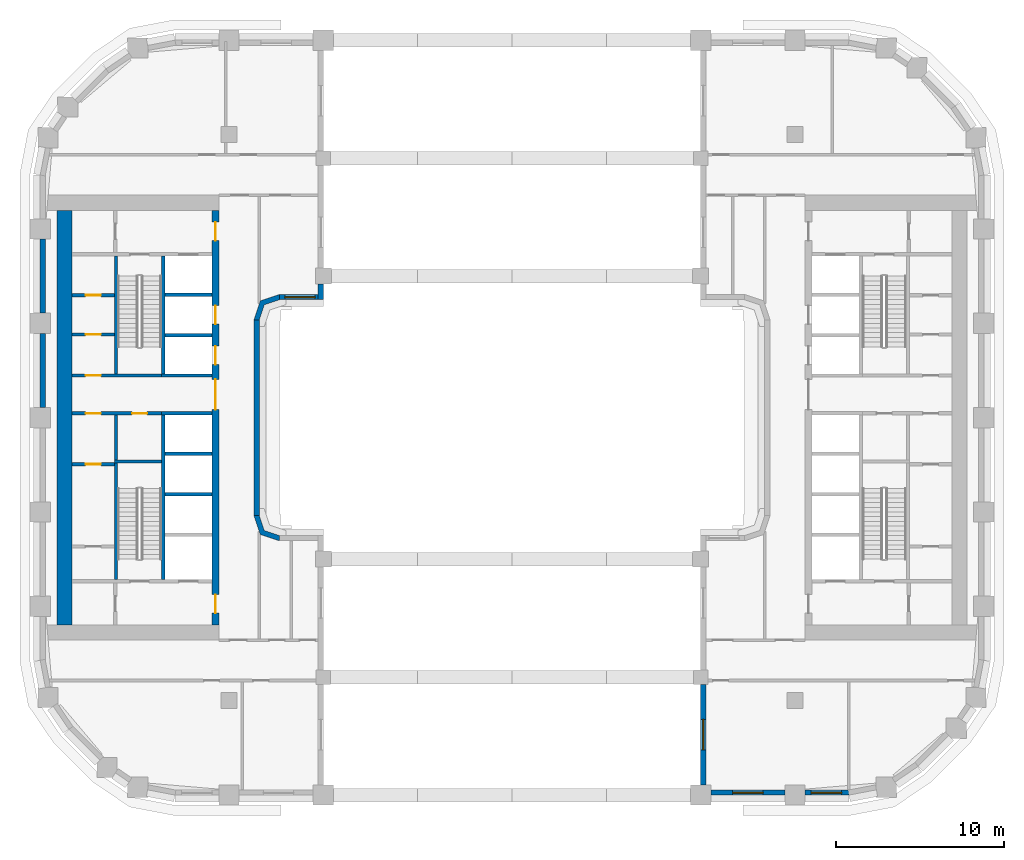
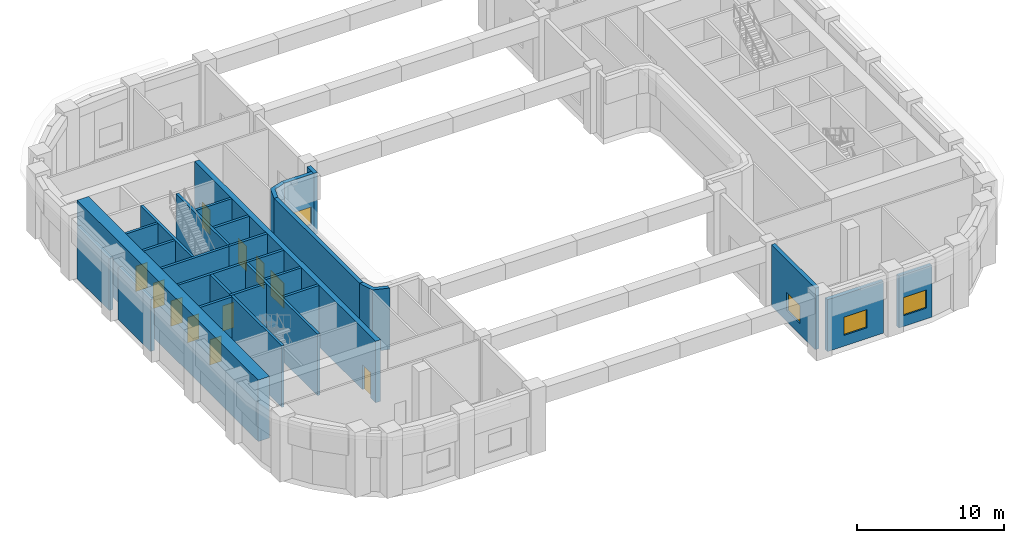
# One storey, part 3 of 14: 29 walls, 11 doors, 4 windows, 15 openings.
"""IFC4 building model written with IfcOpenShell, lengths in metres."""

from ifc_helpers import new_model, si_unit, direction, frame, frame_2d, origin, place, context, subcontext, project, spatial, polyline, rectangle, outline, extrude, material, layer, layer_set, type_object, element, fill, save


model = new_model("IFC4")

# Units and contexts
model_context = context("Model", 3, precision=1e-05, world=origin(), true_north=direction((0.0, 1.0)))
body_context = subcontext(model_context, "Body", "Model", "MODEL_VIEW")
ifc_project = project(units=[si_unit("LENGTHUNIT", "METRE"), si_unit("AREAUNIT", "SQUARE_METRE"), si_unit("VOLUMEUNIT", "CUBIC_METRE"), si_unit("PLANEANGLEUNIT", "RADIAN"), si_unit("MASSUNIT", "GRAM", prefix="KILO")], contexts=[model_context])

# Site, building, storey
site_placement = place(None, origin())
site = spatial("IfcSite", under=ifc_project, at=site_placement, CompositionType="ELEMENT")
building_placement = place(site_placement, origin())
building = spatial("IfcBuilding", under=site, at=building_placement, Name="Kiln Ring Residences", CompositionType="ELEMENT")
storey_placement = place(building_placement, frame((0.0, 0.0, 130.699951171875)))
storey = spatial("IfcBuildingStorey", under=building, at=storey_placement, Name="L33", CompositionType="ELEMENT", Elevation=130.699951171875)

# Wall
ifc_material_1 = material(Name="Gypsum board on steel studs", Category="steel")
ifc_layer_1 = layer(ifc_material_1, 0.199951171875)
ifc_layer_set_1 = layer_set([ifc_layer_1], Name="CORE-PARTITION-200")
wall_type_1 = type_object("IfcWallType", Name="CORE-PARTITION-200", PredefinedType="PARTITIONING", material=ifc_layer_set_1)
wall_1_placement = place(storey_placement, frame((-23.5, -2.5, 0.0), z_axis=(0.0, 0.0, 1.0), x_axis=(0.0, 1.0, 0.0)))
element("IfcWall", 1, at=wall_1_placement, inside=storey, type_object=wall_type_1, Name="Core partition west L33 1", PredefinedType="PARTITIONING", context=body_context, shape_type="SweptSolid", body=[
    extrude(rectangle(XDim=2.64990234375, YDim=0.199951171875, at=frame_2d((1.324951171875, 0.0))), origin(), (0.0, 0.0, 1.0), 5.10009765625),
])

# Wall, openings, doors
wall_2_placement = place(storey_placement, frame((-20.800048828125, 0.25, 0.0), z_axis=(0.0, 0.0, 1.0), x_axis=(-1.0, 0.0, 0.0)))
wall_2 = element("IfcWall", 2, at=wall_2_placement, inside=storey, type_object=wall_type_1, Name="Core partition west L33 2", PredefinedType="PARTITIONING", context=body_context, shape_type="SweptSolid", body=[
    extrude(rectangle(XDim=5.300048828125, YDim=0.199951171875, at=frame_2d((2.64990234375, 0.0))), origin(), (0.0, 0.0, 1.0), 5.10009765625),
])
opening_1_placement = place(wall_2_placement, frame((0.85009765625, 0.0, 0.0)))
opening_1 = element("IfcOpeningElement", 3, at=opening_1_placement, cuts=wall_2, Name="Opening L33-CW12", PredefinedType="OPENING", context=body_context, shape_type="SweptSolid", body=[
    extrude(rectangle(XDim=0.89990234375, YDim=2.10009765625, at=frame_2d((0.449951171875, 1.050048828125))), frame((0.0, 0.10986328125, 0.0), z_axis=(0.0, -1.0, 0.0), x_axis=(1.0, 0.0, 0.0)), (0.0, 0.0, 1.0), 0.219970703125),
])
opening_2_placement = place(wall_2_placement, frame((3.60009765625, 0.0, 0.0)))
opening_2 = element("IfcOpeningElement", 4, at=opening_2_placement, cuts=wall_2, Name="Opening L33-CW15", PredefinedType="OPENING", context=body_context, shape_type="SweptSolid", body=[
    extrude(rectangle(XDim=0.89990234375, YDim=2.10009765625, at=frame_2d((0.449951171875, 1.050048828125))), frame((0.0, 0.10986328125, 0.0), z_axis=(0.0, -1.0, 0.0), x_axis=(1.0, 0.0, 0.0)), (0.0, 0.0, 1.0), 0.219970703125),
])
ifc_material_2 = material(Name="Steel door leaf", Category="steel")
door_type_1 = type_object("IfcDoorType", Name="CORE-DOOR-ROOM", OperationType="SINGLE_SWING_LEFT", PredefinedType="DOOR", material=ifc_material_2)
door_1_placement = place(opening_1_placement, origin())
door_1 = element("IfcDoor", 5, at=door_1_placement, inside=storey, type_object=door_type_1, Name="Cleaner's store L33-CW12", OperationType="SINGLE_SWING_RIGHT", OverallHeight=2.10009765625, OverallWidth=0.89990234375, PredefinedType="DOOR", context=body_context, shape_type="SweptSolid", body=[
    extrude(rectangle(XDim=0.89990234375, YDim=2.10009765625, at=frame_2d((0.449951171875, 1.050048828125))), frame((0.0, 0.02490234375, 0.0), z_axis=(0.0, -1.0, 0.0), x_axis=(1.0, 0.0, 0.0)), (0.0, 0.0, 1.0), 0.050048828125),
])
fill(opening_1, door_1)
door_2_placement = place(opening_2_placement, origin())
door_2 = element("IfcDoor", 6, at=door_2_placement, inside=storey, type_object=door_type_1, Name="Battery room L33-CW15", OperationType="SINGLE_SWING_LEFT", OverallHeight=2.10009765625, OverallWidth=0.89990234375, PredefinedType="DOOR", context=body_context, shape_type="SweptSolid", body=[
    extrude(rectangle(XDim=0.89990234375, YDim=2.10009765625, at=frame_2d((0.449951171875, 1.050048828125))), frame((0.0, 0.02490234375, 0.0), z_axis=(0.0, -1.0, 0.0), x_axis=(1.0, 0.0, 0.0)), (0.0, 0.0, 1.0), 0.050048828125),
])
fill(opening_2, door_2)

# Wall, opening, door
wall_3_placement = place(storey_placement, frame((-23.60009765625, -2.77490234375, 0.0), z_axis=(0.0, 0.0, 1.0), x_axis=(-1.0, 0.0, 0.0)))
wall_3 = element("IfcWall", 7, at=wall_3_placement, inside=storey, type_object=wall_type_1, Name="Core partition west L33 6", PredefinedType="PARTITIONING", context=body_context, shape_type="SweptSolid", body=[
    extrude(rectangle(XDim=2.5, YDim=0.199951171875, at=frame_2d((1.25, 0.0))), origin(), (0.0, 0.0, 1.0), 5.10009765625),
])
opening_3_placement = place(wall_3_placement, frame((0.800048828125, 0.0, 0.0)))
opening_3 = element("IfcOpeningElement", 8, at=opening_3_placement, cuts=wall_3, Name="Opening L33-CW14", PredefinedType="OPENING", context=body_context, shape_type="SweptSolid", body=[
    extrude(rectangle(XDim=0.89990234375, YDim=2.10009765625, at=frame_2d((0.449951171875, 1.050048828125))), frame((0.0, 0.10986328125, 0.0), z_axis=(0.0, -1.0, 0.0), x_axis=(1.0, 0.0, 0.0)), (0.0, 0.0, 1.0), 0.219970703125),
])
door_3_placement = place(opening_3_placement, origin())
door_3 = element("IfcDoor", 9, at=door_3_placement, inside=storey, type_object=door_type_1, Name="Battery room L33-CW14", OperationType="SINGLE_SWING_LEFT", OverallHeight=2.10009765625, OverallWidth=0.89990234375, PredefinedType="DOOR", context=body_context, shape_type="SweptSolid", body=[
    extrude(rectangle(XDim=0.89990234375, YDim=2.10009765625, at=frame_2d((0.449951171875, 1.050048828125))), frame((0.0, 0.02490234375, 0.0), z_axis=(0.0, -1.0, 0.0), x_axis=(1.0, 0.0, 0.0)), (0.0, 0.0, 1.0), 0.050048828125),
])
fill(opening_3, door_3)

wall_4_placement = place(storey_placement, frame((-23.60009765625, 4.933349609375, 0.0), z_axis=(0.0, 0.0, 1.0), x_axis=(-1.0, 0.0, 0.0)))
wall_4 = element("IfcWall", 10, at=wall_4_placement, inside=storey, type_object=wall_type_1, Name="Core partition west L33 7", PredefinedType="PARTITIONING", context=body_context, shape_type="SweptSolid", body=[
    extrude(rectangle(XDim=2.5, YDim=0.199951171875, at=frame_2d((1.25, 0.0))), origin(), (0.0, 0.0, 1.0), 5.10009765625),
])
opening_4_placement = place(wall_4_placement, frame((0.800048828125, 0.0, 0.0)))
opening_4 = element("IfcOpeningElement", 11, at=opening_4_placement, cuts=wall_4, Name="Opening L33-CW16", PredefinedType="OPENING", context=body_context, shape_type="SweptSolid", body=[
    extrude(rectangle(XDim=0.89990234375, YDim=2.10009765625, at=frame_2d((0.449951171875, 1.050048828125))), frame((0.0, 0.10986328125, 0.0), z_axis=(0.0, -1.0, 0.0), x_axis=(1.0, 0.0, 0.0)), (0.0, 0.0, 1.0), 0.219970703125),
])
door_4_placement = place(opening_4_placement, origin())
door_4 = element("IfcDoor", 12, at=door_4_placement, inside=storey, type_object=door_type_1, Name="Electrical plant room L33-CW16", OperationType="SINGLE_SWING_LEFT", OverallHeight=2.10009765625, OverallWidth=0.89990234375, PredefinedType="DOOR", context=body_context, shape_type="SweptSolid", body=[
    extrude(rectangle(XDim=0.89990234375, YDim=2.10009765625, at=frame_2d((0.449951171875, 1.050048828125))), frame((0.0, 0.02490234375, 0.0), z_axis=(0.0, -1.0, 0.0), x_axis=(1.0, 0.0, 0.0)), (0.0, 0.0, 1.0), 0.050048828125),
])
fill(opening_4, door_4)

wall_5_placement = place(storey_placement, frame((-23.60009765625, 7.2666015625, 0.0), z_axis=(0.0, 0.0, 1.0), x_axis=(-1.0, 0.0, 0.0)))
wall_5 = element("IfcWall", 13, at=wall_5_placement, inside=storey, type_object=wall_type_1, Name="Core partition west L33 8", PredefinedType="PARTITIONING", context=body_context, shape_type="SweptSolid", body=[
    extrude(rectangle(XDim=2.5, YDim=0.199951171875, at=frame_2d((1.25, 0.0))), origin(), (0.0, 0.0, 1.0), 5.10009765625),
])
opening_5_placement = place(wall_5_placement, frame((0.800048828125, 0.0, 0.0)))
opening_5 = element("IfcOpeningElement", 14, at=opening_5_placement, cuts=wall_5, Name="Opening L33-CW17", PredefinedType="OPENING", context=body_context, shape_type="SweptSolid", body=[
    extrude(rectangle(XDim=0.89990234375, YDim=2.10009765625, at=frame_2d((0.449951171875, 1.050048828125))), frame((0.0, 0.10986328125, 0.0), z_axis=(0.0, -1.0, 0.0), x_axis=(1.0, 0.0, 0.0)), (0.0, 0.0, 1.0), 0.219970703125),
])
door_5_placement = place(opening_5_placement, origin())
door_5 = element("IfcDoor", 15, at=door_5_placement, inside=storey, type_object=door_type_1, Name="Comms room L33-CW17", OperationType="SINGLE_SWING_RIGHT", OverallHeight=2.10009765625, OverallWidth=0.89990234375, PredefinedType="DOOR", context=body_context, shape_type="SweptSolid", body=[
    extrude(rectangle(XDim=0.89990234375, YDim=2.10009765625, at=frame_2d((0.449951171875, 1.050048828125))), frame((0.0, 0.02490234375, 0.0), z_axis=(0.0, -1.0, 0.0), x_axis=(1.0, 0.0, 0.0)), (0.0, 0.0, 1.0), 0.050048828125),
])
fill(opening_5, door_5)

# Walls
ifc_material_3 = material(Name="Gypsum shaft wall system")
ifc_layer_2 = layer(ifc_material_3, 0.199951171875)
ifc_layer_set_2 = layer_set([ifc_layer_2], Name="CORE-SHAFT-WALL-200")
wall_type_2 = type_object("IfcWallType", Name="CORE-SHAFT-WALL-200", PredefinedType="PARTITIONING", material=ifc_layer_set_2)
for number, where, z_axis, x_axis, name in (
    (16, (-17.800048828125, -4.550048828125, 0.0), (0.0, 0.0, 1.0), (-1.0, 0.0, 0.0), "Core partition west L33 10"),
    (17, (-17.800048828125, -2.14990234375, 0.0), (0.0, 0.0, 1.0), (-1.0, 0.0, 0.0), "Core partition west L33 11"),
):
    element("IfcWall", number, at=place(storey_placement, frame(where, z_axis=z_axis, x_axis=x_axis)), inside=storey, type_object=wall_type_2, Name=name, PredefinedType="PARTITIONING", context=body_context, shape_type="SweptSolid", body=[
        extrude(rectangle(XDim=2.800048828125, YDim=0.199951171875, at=frame_2d((1.39990234375, 0.0))), origin(), (0.0, 0.0, 1.0), 5.10009765625),
    ])
for number, where, z_axis, x_axis, name in (
    (18, (-17.800048828125, 0.25, 0.0), (0.0, 0.0, 1.0), (-1.0, 0.0, 0.0), "Core partition west L33 12"),
    (19, (-17.800048828125, 2.5, 0.0), (0.0, 0.0, 1.0), (-1.0, 0.0, 0.0), "Core partition west L33 13"),
):
    element("IfcWall", number, at=place(storey_placement, frame(where, z_axis=z_axis, x_axis=x_axis)), inside=storey, type_object=wall_type_2, Name=name, PredefinedType="PARTITIONING", context=body_context, shape_type="SweptSolid", body=[
        extrude(rectangle(XDim=3.0, YDim=0.199951171875, at=frame_2d((1.5, 0.0))), origin(), (0.0, 0.0, 1.0), 5.10009765625),
    ])
for number, where, z_axis, x_axis, name in (
    (20, (-17.800048828125, 4.89990234375, 0.0), (0.0, 0.0, 1.0), (-1.0, 0.0, 0.0), "Core partition west L33 14"),
    (21, (-17.800048828125, 7.300048828125, 0.0), (0.0, 0.0, 1.0), (-1.0, 0.0, 0.0), "Core partition west L33 15"),
):
    element("IfcWall", number, at=place(storey_placement, frame(where, z_axis=z_axis, x_axis=x_axis)), inside=storey, type_object=wall_type_2, Name=name, PredefinedType="PARTITIONING", context=body_context, shape_type="SweptSolid", body=[
        extrude(rectangle(XDim=2.800048828125, YDim=0.199951171875, at=frame_2d((1.39990234375, 0.0))), origin(), (0.0, 0.0, 1.0), 5.10009765625),
    ])
ifc_material_4 = material(Name="Concrete C40/50", Category="concrete")
ifc_layer_3 = layer(ifc_material_4, 0.199951171875)
ifc_layer_set_3 = layer_set([ifc_layer_3], Name="CORE-WALL-RC200")
wall_type_3 = type_object("IfcWallType", Name="CORE-WALL-RC200", PredefinedType="SHEAR", material=ifc_layer_set_3)
wall_6_placement = place(storey_placement, frame((-20.699951171875, 2.60009765625, 0.0), z_axis=(0.0, 0.0, 1.0), x_axis=(0.0, 1.0, 0.0)))
element("IfcWall", 22, at=wall_6_placement, inside=storey, type_object=wall_type_3, Name="Core wall west L33 1", PredefinedType="SHEAR", context=body_context, shape_type="SweptSolid", body=[
    extrude(rectangle(XDim=7.0, YDim=0.199951171875, at=frame_2d((3.5, 0.0))), origin(), (0.0, 0.0, 1.0), 5.10009765625),
])
wall_7_placement = place(storey_placement, frame((-20.699951171875, -9.60009765625, 0.0), z_axis=(0.0, 0.0, 1.0), x_axis=(0.0, 1.0, 0.0)))
element("IfcWall", 23, at=wall_7_placement, inside=storey, type_object=wall_type_3, Name="Core wall west L33 2", PredefinedType="SHEAR", context=body_context, shape_type="SweptSolid", body=[
    extrude(rectangle(XDim=9.75, YDim=0.199951171875, at=frame_2d((4.875, 0.0))), origin(), (0.0, 0.0, 1.0), 5.10009765625),
])

# Wall, opening, door
wall_8_placement = place(storey_placement, frame((-20.800048828125, 2.5, 0.0), z_axis=(0.0, 0.0, 1.0), x_axis=(-1.0, 0.0, 0.0)))
wall_8 = element("IfcWall", 24, at=wall_8_placement, inside=storey, type_object=wall_type_3, Name="Core wall west L33 3", PredefinedType="SHEAR", context=body_context, shape_type="SweptSolid", body=[
    extrude(rectangle(XDim=5.300048828125, YDim=0.199951171875, at=frame_2d((2.64990234375, 0.0))), origin(), (0.0, 0.0, 1.0), 5.10009765625),
])
opening_6_placement = place(wall_8_placement, frame((3.60009765625, 0.0, 0.0)))
opening_6 = element("IfcOpeningElement", 25, at=opening_6_placement, cuts=wall_8, Name="Opening L33-CW18", PredefinedType="OPENING", context=body_context, shape_type="SweptSolid", body=[
    extrude(rectangle(XDim=0.89990234375, YDim=2.10009765625, at=frame_2d((0.449951171875, 1.050048828125))), frame((0.0, 0.10986328125, 0.0), z_axis=(0.0, -1.0, 0.0), x_axis=(1.0, 0.0, 0.0)), (0.0, 0.0, 1.0), 0.219970703125),
])
door_6_placement = place(opening_6_placement, origin())
door_6 = element("IfcDoor", 26, at=door_6_placement, inside=storey, type_object=door_type_1, Name="UPS room L33-CW18", OperationType="SINGLE_SWING_LEFT", OverallHeight=2.10009765625, OverallWidth=0.89990234375, PredefinedType="DOOR", context=body_context, shape_type="SweptSolid", body=[
    extrude(rectangle(XDim=0.89990234375, YDim=2.10009765625, at=frame_2d((0.449951171875, 1.050048828125))), frame((0.0, 0.02490234375, 0.0), z_axis=(0.0, -1.0, 0.0), x_axis=(1.0, 0.0, 0.0)), (0.0, 0.0, 1.0), 0.050048828125),
])
fill(opening_6, door_6)

# Walls
wall_9_placement = place(storey_placement, frame((-23.5, 2.60009765625, 0.0), z_axis=(0.0, 0.0, 1.0), x_axis=(0.0, 1.0, 0.0)))
element("IfcWall", 27, at=wall_9_placement, inside=storey, type_object=wall_type_3, Name="Core wall west L33 10", PredefinedType="SHEAR", context=body_context, shape_type="SweptSolid", body=[
    extrude(rectangle(XDim=7.0, YDim=0.199951171875, at=frame_2d((3.5, 0.0))), origin(), (0.0, 0.0, 1.0), 5.10009765625),
])
wall_10_placement = place(storey_placement, frame((-23.5, -9.60009765625, 0.0), z_axis=(0.0, 0.0, 1.0), x_axis=(0.0, 1.0, 0.0)))
element("IfcWall", 28, at=wall_10_placement, inside=storey, type_object=wall_type_3, Name="Core wall west L33 11", PredefinedType="SHEAR", context=body_context, shape_type="SweptSolid", body=[
    extrude(rectangle(XDim=6.900146484375, YDim=0.199951171875, at=frame_2d((3.4501953125, 0.0))), origin(), (0.0, 0.0, 1.0), 5.10009765625),
])
wall_11_placement = place(storey_placement, frame((-20.800048828125, -2.60009765625, 0.0), z_axis=(0.0, 0.0, 1.0), x_axis=(-1.0, 0.0, 0.0)))
element("IfcWall", 29, at=wall_11_placement, inside=storey, type_object=wall_type_3, Name="Core wall west L33 12", PredefinedType="SHEAR", context=body_context, shape_type="SweptSolid", body=[
    extrude(rectangle(XDim=2.800048828125, YDim=0.199951171875, at=frame_2d((1.39990234375, 0.0))), origin(), (0.0, 0.0, 1.0), 5.10009765625),
])

# Wall, openings, doors
ifc_material_5 = material(Name="Concrete C60/75", Category="concrete")
ifc_layer_4 = layer(ifc_material_5, 0.39990234375)
ifc_layer_set_4 = layer_set([ifc_layer_4], Name="CORE-WALL-RC400")
wall_type_4 = type_object("IfcWallType", Name="CORE-WALL-RC400", PredefinedType="SHEAR", material=ifc_layer_set_4)
wall_12_placement = place(storey_placement, frame((-17.60009765625, -12.300048828125, 0.0), z_axis=(0.0, 0.0, 1.0), x_axis=(0.0, 1.0, 0.0)))
wall_12 = element("IfcWall", 30, at=wall_12_placement, inside=storey, type_object=wall_type_4, Name="Core wall west L33 6", PredefinedType="SHEAR", context=body_context, shape_type="SweptSolid", body=[
    extrude(rectangle(XDim=24.60009765625, YDim=0.39990234375, at=frame_2d((12.300048828125, 0.0))), origin(), (0.0, 0.0, 1.0), 5.10009765625),
])
opening_7_placement = place(wall_12_placement, frame((15.449951171875, 0.0, 0.0)))
opening_7 = element("IfcOpeningElement", 31, at=opening_7_placement, cuts=wall_12, Name="Opening L33-CW02", PredefinedType="OPENING", context=body_context, shape_type="SweptSolid", body=[
    extrude(rectangle(XDim=1.10009765625, YDim=2.10009765625, at=frame_2d((0.550048828125, 1.050048828125))), frame((0.0, 0.2099609375, 0.0), z_axis=(0.0, -1.0, 0.0), x_axis=(1.0, 0.0, 0.0)), (0.0, 0.0, 1.0), 0.419921875),
])
opening_8_placement = place(wall_12_placement, frame((17.85009765625, 0.0, 0.0)))
opening_8 = element("IfcOpeningElement", 32, at=opening_8_placement, cuts=wall_12, Name="Opening L33-CW03", PredefinedType="OPENING", context=body_context, shape_type="SweptSolid", body=[
    extrude(rectangle(XDim=1.10009765625, YDim=2.10009765625, at=frame_2d((0.550048828125, 1.050048828125))), frame((0.0, 0.2099609375, 0.0), z_axis=(0.0, -1.0, 0.0), x_axis=(1.0, 0.0, 0.0)), (0.0, 0.0, 1.0), 0.419921875),
])
opening_9_placement = place(wall_12_placement, frame((22.800048828125, 0.0, 0.0)))
opening_9 = element("IfcOpeningElement", 33, at=opening_9_placement, cuts=wall_12, Name="Opening L33-CW05", PredefinedType="OPENING", context=body_context, shape_type="SweptSolid", body=[
    extrude(rectangle(XDim=1.10009765625, YDim=2.10009765625, at=frame_2d((0.550048828125, 1.050048828125))), frame((0.0, 0.2099609375, 0.0), z_axis=(0.0, -1.0, 0.0), x_axis=(1.0, 0.0, 0.0)), (0.0, 0.0, 1.0), 0.419921875),
])
opening_10_placement = place(wall_12_placement, frame((0.699951171875, 0.0, 0.0)))
opening_10 = element("IfcOpeningElement", 34, at=opening_10_placement, cuts=wall_12, Name="Opening L33-CW06", PredefinedType="OPENING", context=body_context, shape_type="SweptSolid", body=[
    extrude(rectangle(XDim=1.10009765625, YDim=2.10009765625, at=frame_2d((0.550048828125, 1.050048828125))), frame((0.0, 0.2099609375, 0.0), z_axis=(0.0, -1.0, 0.0), x_axis=(1.0, 0.0, 0.0)), (0.0, 0.0, 1.0), 0.419921875),
])
opening_11_placement = place(wall_12_placement, frame((12.77490234375, 0.0, 0.0)))
opening_11 = element("IfcOpeningElement", 35, at=opening_11_placement, cuts=wall_12, Name="Opening L33-CW11", PredefinedType="OPENING", context=body_context, shape_type="SweptSolid", body=[
    extrude(rectangle(XDim=1.800048828125, YDim=2.10009765625, at=frame_2d((0.89990234375, 1.050048828125))), frame((0.0, 0.2099609375, 0.0), z_axis=(0.0, -1.0, 0.0), x_axis=(1.0, 0.0, 0.0)), (0.0, 0.0, 1.0), 0.419921875),
])
ifc_material_6 = material(Name="Steel door leaf", Category="steel")
door_type_2 = type_object("IfcDoorType", Name="CORE-DOOR-LD", OperationType="DOUBLE_DOOR_SLIDING", PredefinedType="DOOR", material=ifc_material_6)
door_7_placement = place(opening_7_placement, origin())
door_7 = element("IfcDoor", 36, at=door_7_placement, inside=storey, type_object=door_type_2, Name="LD W-M1 L33-CW02", OperationType="DOUBLE_DOOR_SLIDING", OverallHeight=2.10009765625, OverallWidth=1.10009765625, PredefinedType="DOOR", context=body_context, shape_type="SweptSolid", body=[
    extrude(rectangle(XDim=1.10009765625, YDim=2.10009765625, at=frame_2d((0.550048828125, 1.050048828125))), frame((0.0, 0.02490234375, 0.0), z_axis=(0.0, -1.0, 0.0), x_axis=(1.0, 0.0, 0.0)), (0.0, 0.0, 1.0), 0.050048828125),
])
fill(opening_7, door_7)
door_8_placement = place(opening_8_placement, origin())
door_8 = element("IfcDoor", 37, at=door_8_placement, inside=storey, type_object=door_type_2, Name="LD W-M2 L33-CW03", OperationType="DOUBLE_DOOR_SLIDING", OverallHeight=2.10009765625, OverallWidth=1.10009765625, PredefinedType="DOOR", context=body_context, shape_type="SweptSolid", body=[
    extrude(rectangle(XDim=1.10009765625, YDim=2.10009765625, at=frame_2d((0.550048828125, 1.050048828125))), frame((0.0, 0.02490234375, 0.0), z_axis=(0.0, -1.0, 0.0), x_axis=(1.0, 0.0, 0.0)), (0.0, 0.0, 1.0), 0.050048828125),
])
fill(opening_8, door_8)
ifc_material_7 = material(Name="Steel door leaf", Category="steel")
door_type_3 = type_object("IfcDoorType", Name="CORE-DOOR-LOBBY", OperationType="SINGLE_SWING_LEFT", PredefinedType="DOOR", material=ifc_material_7)
door_9_placement = place(opening_9_placement, origin())
door_9 = element("IfcDoor", 38, at=door_9_placement, inside=storey, type_object=door_type_3, Name="FFL L33-CW05", OperationType="SINGLE_SWING_RIGHT", OverallHeight=2.10009765625, OverallWidth=1.10009765625, PredefinedType="DOOR", context=body_context, shape_type="SweptSolid", body=[
    extrude(rectangle(XDim=1.10009765625, YDim=2.10009765625, at=frame_2d((0.550048828125, 1.050048828125))), frame((0.0, 0.02490234375, 0.0), z_axis=(0.0, -1.0, 0.0), x_axis=(1.0, 0.0, 0.0)), (0.0, 0.0, 1.0), 0.050048828125),
])
fill(opening_9, door_9)
door_10_placement = place(opening_10_placement, origin())
door_10 = element("IfcDoor", 39, at=door_10_placement, inside=storey, type_object=door_type_3, Name="SVL L33-CW06", OperationType="SINGLE_SWING_LEFT", OverallHeight=2.10009765625, OverallWidth=1.10009765625, PredefinedType="DOOR", context=body_context, shape_type="SweptSolid", body=[
    extrude(rectangle(XDim=1.10009765625, YDim=2.10009765625, at=frame_2d((0.550048828125, 1.050048828125))), frame((0.0, 0.02490234375, 0.0), z_axis=(0.0, -1.0, 0.0), x_axis=(1.0, 0.0, 0.0)), (0.0, 0.0, 1.0), 0.050048828125),
])
fill(opening_10, door_10)
ifc_material_8 = material(Name="Steel door leaf", Category="steel")
door_type_4 = type_object("IfcDoorType", Name="CORE-DOOR-PASS", OperationType="DOUBLE_DOOR_SINGLE_SWING", PredefinedType="DOOR", material=ifc_material_8)
door_11_placement = place(opening_11_placement, origin())
door_11 = element("IfcDoor", 40, at=door_11_placement, inside=storey, type_object=door_type_4, Name="Core passage L33-CW11", OperationType="DOUBLE_DOOR_SINGLE_SWING", OverallHeight=2.10009765625, OverallWidth=1.800048828125, PredefinedType="DOOR", context=body_context, shape_type="SweptSolid", body=[
    extrude(rectangle(XDim=1.800048828125, YDim=2.10009765625, at=frame_2d((0.89990234375, 1.050048828125))), frame((0.0, 0.02490234375, 0.0), z_axis=(0.0, -1.0, 0.0), x_axis=(1.0, 0.0, 0.0)), (0.0, 0.0, 1.0), 0.050048828125),
])
fill(opening_11, door_11)

# Walls
ifc_material_9 = material(Name="Concrete C60/75", Category="concrete")
ifc_layer_5 = layer(ifc_material_9, 0.89990234375)
ifc_layer_set_5 = layer_set([ifc_layer_5], Name="CORE-WALL-RC900")
wall_type_5 = type_object("IfcWallType", Name="CORE-WALL-RC900", PredefinedType="SHEAR", material=ifc_layer_set_5)
wall_13_placement = place(storey_placement, frame((-26.550048828125, -12.300048828125, 0.0), z_axis=(0.0, 0.0, 1.0), x_axis=(0.0, 1.0, 0.0)))
element("IfcWall", 41, at=wall_13_placement, inside=storey, type_object=wall_type_5, Name="Core wall west L33 7", PredefinedType="SHEAR", context=body_context, shape_type="SweptSolid", body=[
    extrude(rectangle(XDim=24.60009765625, YDim=0.89990234375, at=frame_2d((12.300048828125, 0.0))), origin(), (0.0, 0.0, 1.0), 5.10009765625),
])
ifc_material_10 = material(Name="Brick masonry, dark clay brick", Category="masonry")
ifc_layer_6 = layer(ifc_material_10, 0.300048828125)
ifc_layer_set_6 = layer_set([ifc_layer_6], Name="EW-300 BRICK WALL")
wall_type_6 = type_object("IfcWallType", Name="EW-300 BRICK WALL", PredefinedType="SOLIDWALL", material=ifc_layer_set_6)
wall_14_placement = place(storey_placement, frame((-15.14990234375, -5.800048828125, 0.0), z_axis=(0.0, 0.0, 1.0), x_axis=(0.0, 1.0, 0.0)))
element("IfcWall", 42, at=wall_14_placement, inside=storey, type_object=wall_type_6, Name="Facade wall L33 12", PredefinedType="SOLIDWALL", context=body_context, shape_type="SweptSolid", body=[
    extrude(rectangle(XDim=11.60009765625, YDim=0.300048828125, at=frame_2d((5.800048828125, 0.0))), origin(), (0.0, 0.0, 1.0), 5.10009765625),
])

# Wall, opening, window
wall_15_placement = place(storey_placement, frame((-13.800048828125, 7.14990234375, 0.0), z_axis=(0.0, 0.0, 1.0), x_axis=(1.0, 0.0, 0.0)))
wall_15 = element("IfcWall", 43, at=wall_15_placement, inside=storey, type_object=wall_type_6, Name="Facade wall L33 13", PredefinedType="SOLIDWALL", context=body_context, shape_type="SweptSolid", body=[
    extrude(rectangle(XDim=2.60009765625, YDim=0.300048828125, at=frame_2d((1.300048828125, 0.0))), origin(), (0.0, 0.0, 1.0), 5.10009765625),
])
opening_12_placement = place(wall_15_placement, frame((0.3173828125, 0.0, 0.89990234375)))
opening_12 = element("IfcOpeningElement", 44, at=opening_12_placement, cuts=wall_15, Name="Opening LV1", PredefinedType="OPENING", context=body_context, shape_type="SweptSolid", body=[
    extrude(rectangle(XDim=1.800048828125, YDim=1.5, at=frame_2d((0.89990234375, 0.75))), frame((0.0, 0.159912109375, 0.0), z_axis=(0.0, -1.0, 0.0), x_axis=(1.0, 0.0, 0.0)), (0.0, 0.0, 1.0), 0.320068359375),
])
ifc_material_11 = material(Name="Aluminium louvre", Category="aluminium")
window_type = type_object("IfcWindowType", Name="LOUVRED VENT 1800 x 1500", PartitioningType="SINGLE_PANEL", PredefinedType="WINDOW", material=ifc_material_11)
window_1_placement = place(opening_12_placement, origin())
window_1 = element("IfcWindow", 45, at=window_1_placement, inside=storey, type_object=window_type, Name="Louvred vent L33 5", OverallHeight=1.5, OverallWidth=1.800048828125, PartitioningType="SINGLE_PANEL", PredefinedType="WINDOW", context=body_context, shape_type="SweptSolid", body=[
    extrude(rectangle(XDim=1.800048828125, YDim=1.5, at=frame_2d((0.89990234375, 0.75))), frame((0.0, 0.030029296875, 0.0), z_axis=(0.0, -1.0, 0.0), x_axis=(1.0, 0.0, 0.0)), (0.0, 0.0, 1.0), 0.06005859375),
])
fill(opening_12, window_1)

# Walls
wall_16_placement = place(storey_placement, frame((-11.35009765625, 7.0, 0.0), z_axis=(0.0, 0.0, 1.0), x_axis=(0.0, 1.0, 0.0)))
element("IfcWall", 46, at=wall_16_placement, inside=storey, type_object=wall_type_6, Name="Facade wall L33 14", PredefinedType="SOLIDWALL", context=body_context, shape_type="SweptSolid", body=[
    extrude(rectangle(XDim=0.925048828125, YDim=0.300048828125, at=frame_2d((0.46240234375, 0.0))), origin(), (0.0, 0.0, 1.0), 5.10009765625),
])
wall_17_placement = place(storey_placement, frame((-27.85009765625, 10.60009765625, 0.0), z_axis=(0.0, 0.0, 1.0), x_axis=(0.0, -1.0, 0.0)))
element("IfcWall", 47, at=wall_17_placement, inside=storey, type_object=wall_type_6, Name="Facade wall L33 25", PredefinedType="SOLIDWALL", context=body_context, shape_type="SweptSolid", body=[
    extrude(rectangle(XDim=4.400146484375, YDim=0.300048828125, at=frame_2d((2.2001953125, 0.0))), origin(), (0.0, 0.0, 1.0), 4.300048828125),
])
wall_18_placement = place(storey_placement, frame((-27.85009765625, 5.0, 0.0), z_axis=(0.0, 0.0, 1.0), x_axis=(0.0, -1.0, 0.0)))
element("IfcWall", 48, at=wall_18_placement, inside=storey, type_object=wall_type_6, Name="Facade wall L33 26", PredefinedType="SOLIDWALL", context=body_context, shape_type="SweptSolid", body=[
    extrude(rectangle(XDim=4.39990234375, YDim=0.300048828125, at=frame_2d((2.199951171875, 0.0))), origin(), (0.0, 0.0, 1.0), 4.300048828125),
])

# Wall, opening, window
wall_19_placement = place(storey_placement, frame((11.35009765625, -15.824951171875, 0.0), z_axis=(0.0, 0.0, 1.0), x_axis=(0.0, -1.0, 0.0)))
wall_19 = element("IfcWall", 49, at=wall_19_placement, inside=storey, type_object=wall_type_6, Name="Facade wall L33 33", PredefinedType="SOLIDWALL", context=body_context, shape_type="SweptSolid", body=[
    extrude(rectangle(XDim=5.97509765625, YDim=0.300048828125, at=frame_2d((2.987548828125, 0.0))), origin(), (0.0, 0.0, 1.0), 5.10009765625),
])
opening_13_placement = place(wall_19_placement, frame((2.08740234375, 0.0, 0.89990234375)))
opening_13 = element("IfcOpeningElement", 50, at=opening_13_placement, cuts=wall_19, Name="Opening LV1", PredefinedType="OPENING", context=body_context, shape_type="SweptSolid", body=[
    extrude(rectangle(XDim=1.800048828125, YDim=1.5, at=frame_2d((0.89990234375, 0.75))), frame((0.0, 0.159912109375, 0.0), z_axis=(0.0, -1.0, 0.0), x_axis=(1.0, 0.0, 0.0)), (0.0, 0.0, 1.0), 0.320068359375),
])
window_2_placement = place(opening_13_placement, origin())
window_2 = element("IfcWindow", 51, at=window_2_placement, inside=storey, type_object=window_type, Name="Louvred vent L33 12", OverallHeight=1.5, OverallWidth=1.800048828125, PartitioningType="SINGLE_PANEL", PredefinedType="WINDOW", context=body_context, shape_type="SweptSolid", body=[
    extrude(rectangle(XDim=1.800048828125, YDim=1.5, at=frame_2d((0.89990234375, 0.75))), frame((0.0, 0.030029296875, 0.0), z_axis=(0.0, -1.0, 0.0), x_axis=(1.0, 0.0, 0.0)), (0.0, 0.0, 1.0), 0.06005859375),
])
fill(opening_13, window_2)

wall_20_placement = place(storey_placement, frame((11.800048828125, -22.25, 0.0), z_axis=(0.0, 0.0, 1.0), x_axis=(1.0, 0.0, 0.0)))
wall_20 = element("IfcWall", 52, at=wall_20_placement, inside=storey, type_object=wall_type_6, Name="Facade wall L33 34", PredefinedType="SOLIDWALL", context=body_context, shape_type="SweptSolid", body=[
    extrude(rectangle(XDim=4.39990234375, YDim=0.300048828125, at=frame_2d((2.199951171875, 0.0))), origin(), (0.0, 0.0, 1.0), 4.300048828125),
])
opening_14_placement = place(wall_20_placement, frame((1.300048828125, 0.0, 0.89990234375)))
opening_14 = element("IfcOpeningElement", 53, at=opening_14_placement, cuts=wall_20, Name="Opening LV1", PredefinedType="OPENING", context=body_context, shape_type="SweptSolid", body=[
    extrude(rectangle(XDim=1.800048828125, YDim=1.5, at=frame_2d((0.89990234375, 0.75))), frame((0.0, 0.159912109375, 0.0), z_axis=(0.0, -1.0, 0.0), x_axis=(1.0, 0.0, 0.0)), (0.0, 0.0, 1.0), 0.320068359375),
])
window_3_placement = place(opening_14_placement, origin())
window_3 = element("IfcWindow", 54, at=window_3_placement, inside=storey, type_object=window_type, Name="Louvred vent L33 13", OverallHeight=1.5, OverallWidth=1.800048828125, PartitioningType="SINGLE_PANEL", PredefinedType="WINDOW", context=body_context, shape_type="SweptSolid", body=[
    extrude(rectangle(XDim=1.800048828125, YDim=1.5, at=frame_2d((0.89990234375, 0.75))), frame((0.0, 0.030029296875, 0.0), z_axis=(0.0, -1.0, 0.0), x_axis=(1.0, 0.0, 0.0)), (0.0, 0.0, 1.0), 0.06005859375),
])
fill(opening_14, window_3)

wall_21_placement = place(storey_placement, frame((17.39990234375, -22.25, 0.0), z_axis=(0.0, 0.0, 1.0), x_axis=(1.0, 0.0, 0.0)))
wall_21 = element("IfcWall", 55, at=wall_21_placement, inside=storey, type_object=wall_type_6, Name="Facade wall L33 35", PredefinedType="SOLIDWALL", context=body_context, shape_type="SweptSolid", body=[
    extrude(rectangle(XDim=2.60009765625, YDim=0.300048828125, at=frame_2d((1.300048828125, 0.0))), origin(), (0.0, 0.0, 1.0), 4.300048828125),
])
opening_15_placement = place(wall_21_placement, frame((0.360107421875, 0.0, 0.89990234375)))
opening_15 = element("IfcOpeningElement", 56, at=opening_15_placement, cuts=wall_21, Name="Opening LV1", PredefinedType="OPENING", context=body_context, shape_type="SweptSolid", body=[
    extrude(rectangle(XDim=1.800048828125, YDim=1.5, at=frame_2d((0.89990234375, 0.75))), frame((0.0, 0.159912109375, 0.0), z_axis=(0.0, -1.0, 0.0), x_axis=(1.0, 0.0, 0.0)), (0.0, 0.0, 1.0), 0.320068359375),
])
window_4_placement = place(opening_15_placement, origin())
window_4 = element("IfcWindow", 57, at=window_4_placement, inside=storey, type_object=window_type, Name="Louvred vent L33 14", OverallHeight=1.5, OverallWidth=1.800048828125, PartitioningType="SINGLE_PANEL", PredefinedType="WINDOW", context=body_context, shape_type="SweptSolid", body=[
    extrude(rectangle(XDim=1.800048828125, YDim=1.5, at=frame_2d((0.89990234375, 0.75))), frame((0.0, 0.030029296875, 0.0), z_axis=(0.0, -1.0, 0.0), x_axis=(1.0, 0.0, 0.0)), (0.0, 0.0, 1.0), 0.06005859375),
])
fill(opening_15, window_4)

# Walls
placement = place(storey_placement, origin())
element("IfcWall", 58, at=placement, inside=storey, type_object=wall_type_6, Name="Corner wall L33 1", PredefinedType="SOLIDWALL", context=body_context, shape_type="SweptSolid", body=[
    extrude(outline(polyline([(-15.0, 5.800048828125), (-14.699951171875, 6.699951171875), (-13.800048828125, 7.0), (-13.800048828125, 7.300048828125), (-13.8486328125, 7.300048828125), (-14.937255859375, 6.937255859375), (-15.300048828125, 5.8486328125), (-15.300048828125, 5.800048828125), (-15.0, 5.800048828125)])), origin(), (0.0, 0.0, 1.0), 5.10009765625),
])
element("IfcWall", 59, at=placement, inside=storey, type_object=wall_type_6, Name="Corner wall L33 2", PredefinedType="SOLIDWALL", context=body_context, shape_type="SweptSolid", body=[
    extrude(outline(polyline([(-13.800048828125, -7.0), (-14.699951171875, -6.699951171875), (-15.0, -5.800048828125), (-15.300048828125, -5.800048828125), (-15.300048828125, -5.8486328125), (-14.937255859375, -6.937255859375), (-13.8486328125, -7.300048828125), (-13.800048828125, -7.300048828125), (-13.800048828125, -7.0)])), origin(), (0.0, 0.0, 1.0), 5.10009765625),
])

save(model, "model.ifc")
